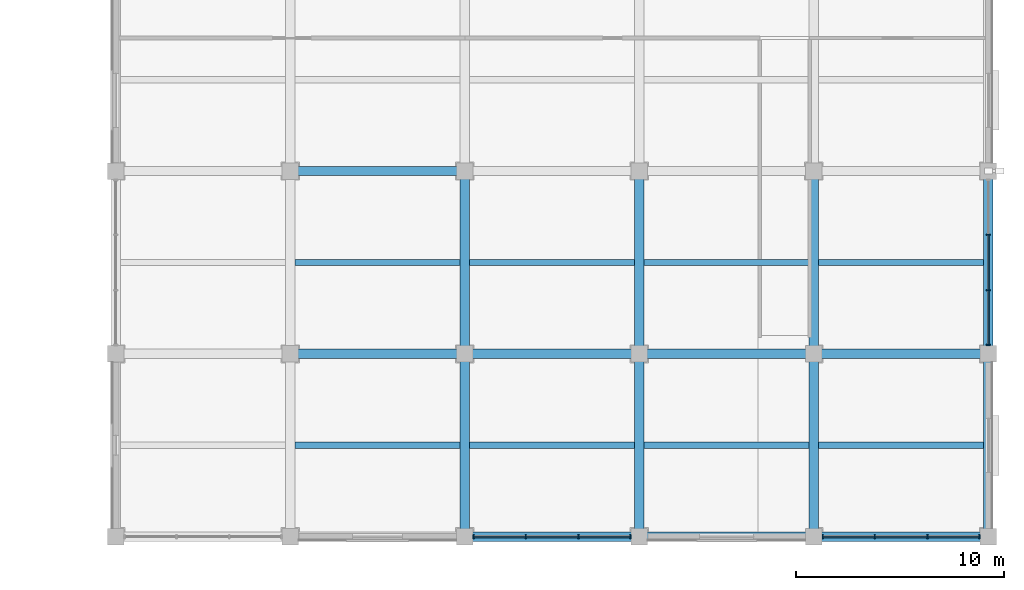
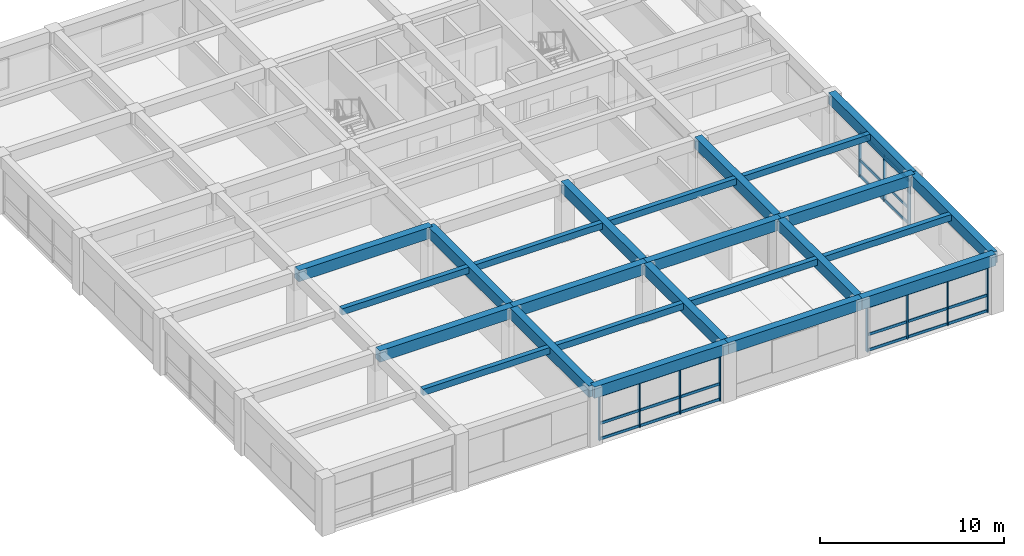
# One storey, part 4 of 16: 35 members, 24 beams, 3 elements without a shape of their own.
"""IFC4 building model written with IfcOpenShell, lengths in metres."""

from ifc_helpers import new_model, si_unit, direction, frame, origin, origin_2d, place, context, subcontext, project, spatial, rectangle, extrude, material, material_profile, profile_set, type_object, element, aggregate, save


model = new_model("IFC4")

# Units and contexts
model_context = context("Model", 3, precision=1e-05, world=origin(), true_north=direction((0.0, 1.0)))
body_context = subcontext(model_context, "Body", "Model", "MODEL_VIEW")
ifc_project = project(units=[si_unit("LENGTHUNIT", "METRE"), si_unit("AREAUNIT", "SQUARE_METRE"), si_unit("VOLUMEUNIT", "CUBIC_METRE"), si_unit("PLANEANGLEUNIT", "RADIAN"), si_unit("MASSUNIT", "GRAM", prefix="KILO")], contexts=[model_context])

# Site, building, storey
site_placement = place(None, origin())
site = spatial("IfcSite", under=ifc_project, at=site_placement, CompositionType="ELEMENT")
building_placement = place(site_placement, origin())
building = spatial("IfcBuilding", under=site, at=building_placement, Name="Kemercrest Conservatory and Botanical Centre", CompositionType="ELEMENT")
storey_placement = place(building_placement, frame((0.0, 0.0, 17.199951171875)))
storey = spatial("IfcBuildingStorey", under=building, at=storey_placement, Name="L04", CompositionType="ELEMENT", Elevation=17.199951171875)

# Beams
ifc_material_1 = material(Name="Concrete C40/50", Category="concrete")
ifc_material_profile_1 = material_profile(ifc_material_1, rectangle(XDim=0.449951171875, YDim=0.75, at=origin_2d()), Name="RC 450x750")
ifc_profile_set_1 = profile_set([ifc_material_profile_1], Name="Concrete C40/50")
beam_type_1 = type_object("IfcBeamType", Name="BM-RC75", PredefinedType="BEAM", material=ifc_profile_set_1)
beam_1_placement = place(storey_placement, frame((142.39990234375, 87.199951171875, 3.425048828125), z_axis=(1.0, 0.0, 0.0), x_axis=(0.0, 1.0, 0.0)))
element("IfcBeam", 1, at=beam_1_placement, inside=storey, type_object=beam_type_1, Name="V4-L05 beam BM-RC75 K/17-18", PredefinedType="BEAM", context=body_context, shape_type="SweptSolid", body=[
    extrude(rectangle(XDim=0.449951171875, YDim=0.75, at=origin_2d()), origin(), (0.0, 0.0, 1.0), 8.400146484375),
])
beam_2_placement = place(storey_placement, frame((150.800048828125, 87.199951171875, 3.425048828125), z_axis=(1.0, 0.0, 0.0), x_axis=(0.0, 1.0, 0.0)))
element("IfcBeam", 2, at=beam_2_placement, inside=storey, type_object=beam_type_1, Name="V4-L05 beam BM-RC75 K/18-19", PredefinedType="BEAM", context=body_context, shape_type="SweptSolid", body=[
    extrude(rectangle(XDim=0.449951171875, YDim=0.75, at=origin_2d()), origin(), (0.0, 0.0, 1.0), 8.39990234375),
])
beam_3_placement = place(storey_placement, frame((159.199951171875, 87.199951171875, 3.425048828125), z_axis=(1.0, 0.0, 0.0), x_axis=(0.0, 1.0, 0.0)))
element("IfcBeam", 3, at=beam_3_placement, inside=storey, type_object=beam_type_1, Name="V4-L05 beam BM-RC75 K/19-20", PredefinedType="BEAM", context=body_context, shape_type="SweptSolid", body=[
    extrude(rectangle(XDim=0.449951171875, YDim=0.75, at=origin_2d()), origin(), (0.0, 0.0, 1.0), 8.400146484375),
])
beam_4_placement = place(storey_placement, frame((167.60009765625, 87.199951171875, 3.425048828125), z_axis=(1.0, 0.0, 0.0), x_axis=(0.0, 1.0, 0.0)))
element("IfcBeam", 4, at=beam_4_placement, inside=storey, type_object=beam_type_1, Name="V4-L05 beam BM-RC75 K/20-21", PredefinedType="BEAM", context=body_context, shape_type="SweptSolid", body=[
    extrude(rectangle(XDim=0.449951171875, YDim=0.75, at=origin_2d()), origin(), (0.0, 0.0, 1.0), 8.39990234375),
])
beam_5_placement = place(storey_placement, frame((142.39990234375, 96.0, 3.425048828125), z_axis=(1.0, 0.0, 0.0), x_axis=(0.0, 1.0, 0.0)))
element("IfcBeam", 5, at=beam_5_placement, inside=storey, type_object=beam_type_1, Name="V4-L05 beam BM-RC75 L/17-18", PredefinedType="BEAM", context=body_context, shape_type="SweptSolid", body=[
    extrude(rectangle(XDim=0.449951171875, YDim=0.75, at=origin_2d()), origin(), (0.0, 0.0, 1.0), 8.400146484375),
])
for number, where, z_axis, x_axis, name in (
    (6, (150.800048828125, 78.39990234375, 3.425048828125), (0.0, 1.0, 0.0), (-1.0, 0.0, 0.0), "V4-L05 beam BM-RC75 18/J-K"),
    (7, (150.800048828125, 87.199951171875, 3.425048828125), (0.0, 1.0, 0.0), (-1.0, 0.0, 0.0), "V4-L05 beam BM-RC75 18/K-L"),
    (8, (159.199951171875, 78.39990234375, 3.425048828125), (0.0, 1.0, 0.0), (-1.0, 0.0, 0.0), "V4-L05 beam BM-RC75 19/J-K"),
    (9, (159.199951171875, 87.199951171875, 3.425048828125), (0.0, 1.0, 0.0), (-1.0, 0.0, 0.0), "V4-L05 beam BM-RC75 19/K-L"),
    (10, (167.60009765625, 78.39990234375, 3.425048828125), (0.0, 1.0, 0.0), (-1.0, 0.0, 0.0), "V4-L05 beam BM-RC75 20/J-K"),
    (11, (167.60009765625, 87.199951171875, 3.425048828125), (0.0, 1.0, 0.0), (-1.0, 0.0, 0.0), "V4-L05 beam BM-RC75 20/K-L"),
):
    element("IfcBeam", number, at=place(storey_placement, frame(where, z_axis=z_axis, x_axis=x_axis)), inside=storey, type_object=beam_type_1, Name=name, PredefinedType="BEAM", context=body_context, shape_type="SweptSolid", body=[
        extrude(rectangle(XDim=0.449951171875, YDim=0.75, at=origin_2d()), origin(), (0.0, 0.0, 1.0), 8.800048828125),
    ])

# Curtain wall, members
ifc_material_2 = material(Name="Thermally broken aluminium and triple low-e glazing", Category="aluminium")
curtain_wall_type_1 = type_object("IfcCurtainWallType", Name="CW-10", PredefinedType="USERDEFINED", material=ifc_material_2)
curtain_wall_1_placement = place(storey_placement, origin())
curtain_wall_1 = element("IfcCurtainWall", 12, at=curtain_wall_1_placement, inside=storey, type_object=curtain_wall_type_1, Name="Unitised curtain wall CW-10 (CW:L04:V4-069)", ObjectType="UNITISED CURTAIN WALL", PredefinedType="USERDEFINED")
ifc_material_3 = material(Name="Thermally broken anodized aluminium 6063-T6", Category="aluminium")
ifc_material_profile_2 = material_profile(ifc_material_3, rectangle(XDim=0.199951171875, YDim=0.06494140625, at=origin_2d()), Name="AL MULLION 65x200")
ifc_profile_set_2 = profile_set([ifc_material_profile_2], Name="Thermally broken anodized aluminium 6063-T6")
member_type_1 = type_object("IfcMemberType", Name="CW-M200", PredefinedType="MULLION", material=ifc_profile_set_2)
member_1_placement = place(storey_placement, frame((151.2275390625, 78.39990234375, 0.0), z_axis=(0.0, 0.0, 1.0), x_axis=(0.0, 1.0, 0.0)))
member_1 = element("IfcMember", 13, at=member_1_placement, type_object=member_type_1, Name="CW-10 mullion 1", PredefinedType="MULLION", context=body_context, shape_type="SweptSolid", body=[
    extrude(rectangle(XDim=0.199951171875, YDim=0.06494140625, at=origin_2d()), origin(), (0.0, 0.0, 1.0), 3.054931640625),
])
member_2_placement = place(storey_placement, frame((153.731689453125, 78.39990234375, 0.0), z_axis=(0.0, 0.0, 1.0), x_axis=(0.0, 1.0, 0.0)))
member_2 = element("IfcMember", 14, at=member_2_placement, type_object=member_type_1, Name="CW-10 mullion 2", PredefinedType="MULLION", context=body_context, shape_type="SweptSolid", body=[
    extrude(rectangle(XDim=0.199951171875, YDim=0.06494140625, at=origin_2d()), origin(), (0.0, 0.0, 1.0), 3.054931640625),
])
member_3_placement = place(storey_placement, frame((156.268310546875, 78.39990234375, 0.0), z_axis=(0.0, 0.0, 1.0), x_axis=(0.0, 1.0, 0.0)))
member_3 = element("IfcMember", 15, at=member_3_placement, type_object=member_type_1, Name="CW-10 mullion 3", PredefinedType="MULLION", context=body_context, shape_type="SweptSolid", body=[
    extrude(rectangle(XDim=0.199951171875, YDim=0.06494140625, at=origin_2d()), origin(), (0.0, 0.0, 1.0), 3.054931640625),
])
member_4_placement = place(storey_placement, frame((158.7724609375, 78.39990234375, 0.0), z_axis=(0.0, 0.0, 1.0), x_axis=(0.0, 1.0, 0.0)))
member_4 = element("IfcMember", 16, at=member_4_placement, type_object=member_type_1, Name="CW-10 mullion 4", PredefinedType="MULLION", context=body_context, shape_type="SweptSolid", body=[
    extrude(rectangle(XDim=0.199951171875, YDim=0.06494140625, at=origin_2d()), origin(), (0.0, 0.0, 1.0), 3.054931640625),
])

curtain_wall_type_2 = type_object("IfcCurtainWallType", Name="CW-11", PredefinedType="USERDEFINED", material=ifc_material_2)
curtain_wall_2_placement = place(storey_placement, origin())
curtain_wall_2 = element("IfcCurtainWall", 17, at=curtain_wall_2_placement, inside=storey, type_object=curtain_wall_type_2, Name="Unitised curtain wall CW-11 (CW:L04:V4-070)", ObjectType="UNITISED CURTAIN WALL", PredefinedType="USERDEFINED")
member_5_placement = place(storey_placement, frame((168.027587890625, 78.39990234375, 0.0), z_axis=(0.0, 0.0, 1.0), x_axis=(0.0, 1.0, 0.0)))
member_5 = element("IfcMember", 18, at=member_5_placement, type_object=member_type_1, Name="CW-11 mullion 1", PredefinedType="MULLION", context=body_context, shape_type="SweptSolid", body=[
    extrude(rectangle(XDim=0.199951171875, YDim=0.06494140625, at=origin_2d()), origin(), (0.0, 0.0, 1.0), 3.054931640625),
])
member_6_placement = place(storey_placement, frame((170.53173828125, 78.39990234375, 0.0), z_axis=(0.0, 0.0, 1.0), x_axis=(0.0, 1.0, 0.0)))
member_6 = element("IfcMember", 19, at=member_6_placement, type_object=member_type_1, Name="CW-11 mullion 2", PredefinedType="MULLION", context=body_context, shape_type="SweptSolid", body=[
    extrude(rectangle(XDim=0.199951171875, YDim=0.06494140625, at=origin_2d()), origin(), (0.0, 0.0, 1.0), 3.054931640625),
])
member_7_placement = place(storey_placement, frame((173.068359375, 78.39990234375, 0.0), z_axis=(0.0, 0.0, 1.0), x_axis=(0.0, 1.0, 0.0)))
member_7 = element("IfcMember", 20, at=member_7_placement, type_object=member_type_1, Name="CW-11 mullion 3", PredefinedType="MULLION", context=body_context, shape_type="SweptSolid", body=[
    extrude(rectangle(XDim=0.199951171875, YDim=0.06494140625, at=origin_2d()), origin(), (0.0, 0.0, 1.0), 3.054931640625),
])
member_8_placement = place(storey_placement, frame((175.572509765625, 78.39990234375, 0.0), z_axis=(0.0, 0.0, 1.0), x_axis=(0.0, 1.0, 0.0)))
member_8 = element("IfcMember", 21, at=member_8_placement, type_object=member_type_1, Name="CW-11 mullion 4", PredefinedType="MULLION", context=body_context, shape_type="SweptSolid", body=[
    extrude(rectangle(XDim=0.199951171875, YDim=0.06494140625, at=origin_2d()), origin(), (0.0, 0.0, 1.0), 3.054931640625),
])

curtain_wall_type_3 = type_object("IfcCurtainWallType", Name="CW-12", PredefinedType="USERDEFINED", material=ifc_material_2)
curtain_wall_3_placement = place(storey_placement, origin())
curtain_wall_3 = element("IfcCurtainWall", 22, at=curtain_wall_3_placement, inside=storey, type_object=curtain_wall_type_3, Name="Unitised curtain wall CW-12 (CW:L04:V4-071)", ObjectType="UNITISED CURTAIN WALL", PredefinedType="USERDEFINED")
member_9_placement = place(storey_placement, frame((176.0, 87.62744140625, 0.0), z_axis=(0.0, 0.0, 1.0), x_axis=(-1.0, 0.0, 0.0)))
member_9 = element("IfcMember", 23, at=member_9_placement, type_object=member_type_1, Name="CW-12 mullion 1", PredefinedType="MULLION", context=body_context, shape_type="SweptSolid", body=[
    extrude(rectangle(XDim=0.199951171875, YDim=0.06494140625, at=origin_2d()), origin(), (0.0, 0.0, 1.0), 3.054931640625),
])
member_10_placement = place(storey_placement, frame((176.0, 90.264892578125, 0.0), z_axis=(0.0, 0.0, 1.0), x_axis=(-1.0, 0.0, 0.0)))
member_10 = element("IfcMember", 24, at=member_10_placement, type_object=member_type_1, Name="CW-12 mullion 2", PredefinedType="MULLION", context=body_context, shape_type="SweptSolid", body=[
    extrude(rectangle(XDim=0.199951171875, YDim=0.06494140625, at=origin_2d()), origin(), (0.0, 0.0, 1.0), 3.054931640625),
])
member_11_placement = place(storey_placement, frame((176.0, 92.93505859375, 0.0), z_axis=(0.0, 0.0, 1.0), x_axis=(-1.0, 0.0, 0.0)))
member_11 = element("IfcMember", 25, at=member_11_placement, type_object=member_type_1, Name="CW-12 mullion 3", PredefinedType="MULLION", context=body_context, shape_type="SweptSolid", body=[
    extrude(rectangle(XDim=0.199951171875, YDim=0.06494140625, at=origin_2d()), origin(), (0.0, 0.0, 1.0), 3.054931640625),
])

# Member
ifc_material_profile_3 = material_profile(ifc_material_3, rectangle(XDim=0.074951171875, YDim=0.179931640625, at=origin_2d()), Name="AL TRANSOM 75x180")
ifc_profile_set_3 = profile_set([ifc_material_profile_3], Name="Thermally broken anodized aluminium 6063-T6")
member_type_2 = type_object("IfcMemberType", Name="CW-T180", PredefinedType="USERDEFINED", material=ifc_profile_set_3)
member_12_placement = place(storey_placement, frame((151.260009765625, 78.39990234375, 0.090087890625), z_axis=(1.0, 0.0, 0.0), x_axis=(0.0, 1.0, 0.0)))
member_12 = element("IfcMember", 26, at=member_12_placement, type_object=member_type_2, Name="CW-10 transom 1.1", ObjectType="TRANSOM", PredefinedType="USERDEFINED", context=body_context, shape_type="SweptSolid", body=[
    extrude(rectangle(XDim=0.074951171875, YDim=0.179931640625, at=origin_2d()), origin(), (0.0, 0.0, 1.0), 2.439208984375),
])

member_13_placement = place(storey_placement, frame((151.260009765625, 78.39990234375, 1.1201171875), z_axis=(1.0, 0.0, 0.0), x_axis=(0.0, 1.0, 0.0)))
member_13 = element("IfcMember", 27, at=member_13_placement, type_object=member_type_2, Name="CW-10 transom 1.2", ObjectType="TRANSOM", PredefinedType="USERDEFINED", context=body_context, shape_type="SweptSolid", body=[
    extrude(rectangle(XDim=0.074951171875, YDim=0.179931640625, at=origin_2d()), origin(), (0.0, 0.0, 1.0), 2.439208984375),
])

member_14_placement = place(storey_placement, frame((151.260009765625, 78.39990234375, 2.965087890625), z_axis=(1.0, 0.0, 0.0), x_axis=(0.0, 1.0, 0.0)))
member_14 = element("IfcMember", 28, at=member_14_placement, type_object=member_type_2, Name="CW-10 transom 1.3", ObjectType="TRANSOM", PredefinedType="USERDEFINED", context=body_context, shape_type="SweptSolid", body=[
    extrude(rectangle(XDim=0.074951171875, YDim=0.179931640625, at=origin_2d()), origin(), (0.0, 0.0, 1.0), 2.439208984375),
])

member_15_placement = place(storey_placement, frame((153.76416015625, 78.39990234375, 0.090087890625), z_axis=(1.0, 0.0, 0.0), x_axis=(0.0, 1.0, 0.0)))
member_15 = element("IfcMember", 29, at=member_15_placement, type_object=member_type_2, Name="CW-10 transom 2.1", ObjectType="TRANSOM", PredefinedType="USERDEFINED", context=body_context, shape_type="SweptSolid", body=[
    extrude(rectangle(XDim=0.074951171875, YDim=0.179931640625, at=origin_2d()), origin(), (0.0, 0.0, 1.0), 2.4716796875),
])

member_16_placement = place(storey_placement, frame((153.76416015625, 78.39990234375, 1.1201171875), z_axis=(1.0, 0.0, 0.0), x_axis=(0.0, 1.0, 0.0)))
member_16 = element("IfcMember", 30, at=member_16_placement, type_object=member_type_2, Name="CW-10 transom 2.2", ObjectType="TRANSOM", PredefinedType="USERDEFINED", context=body_context, shape_type="SweptSolid", body=[
    extrude(rectangle(XDim=0.074951171875, YDim=0.179931640625, at=origin_2d()), origin(), (0.0, 0.0, 1.0), 2.4716796875),
])

member_17_placement = place(storey_placement, frame((153.76416015625, 78.39990234375, 2.965087890625), z_axis=(1.0, 0.0, 0.0), x_axis=(0.0, 1.0, 0.0)))
member_17 = element("IfcMember", 31, at=member_17_placement, type_object=member_type_2, Name="CW-10 transom 2.3", ObjectType="TRANSOM", PredefinedType="USERDEFINED", context=body_context, shape_type="SweptSolid", body=[
    extrude(rectangle(XDim=0.074951171875, YDim=0.179931640625, at=origin_2d()), origin(), (0.0, 0.0, 1.0), 2.4716796875),
])

member_18_placement = place(storey_placement, frame((156.30078125, 78.39990234375, 0.090087890625), z_axis=(1.0, 0.0, 0.0), x_axis=(0.0, 1.0, 0.0)))
member_18 = element("IfcMember", 32, at=member_18_placement, type_object=member_type_2, Name="CW-10 transom 3.1", ObjectType="TRANSOM", PredefinedType="USERDEFINED", context=body_context, shape_type="SweptSolid", body=[
    extrude(rectangle(XDim=0.074951171875, YDim=0.179931640625, at=origin_2d()), origin(), (0.0, 0.0, 1.0), 2.439208984375),
])

member_19_placement = place(storey_placement, frame((156.30078125, 78.39990234375, 1.1201171875), z_axis=(1.0, 0.0, 0.0), x_axis=(0.0, 1.0, 0.0)))
member_19 = element("IfcMember", 33, at=member_19_placement, type_object=member_type_2, Name="CW-10 transom 3.2", ObjectType="TRANSOM", PredefinedType="USERDEFINED", context=body_context, shape_type="SweptSolid", body=[
    extrude(rectangle(XDim=0.074951171875, YDim=0.179931640625, at=origin_2d()), origin(), (0.0, 0.0, 1.0), 2.439208984375),
])

member_20_placement = place(storey_placement, frame((156.30078125, 78.39990234375, 2.965087890625), z_axis=(1.0, 0.0, 0.0), x_axis=(0.0, 1.0, 0.0)))
member_20 = element("IfcMember", 34, at=member_20_placement, type_object=member_type_2, Name="CW-10 transom 3.3", ObjectType="TRANSOM", PredefinedType="USERDEFINED", context=body_context, shape_type="SweptSolid", body=[
    extrude(rectangle(XDim=0.074951171875, YDim=0.179931640625, at=origin_2d()), origin(), (0.0, 0.0, 1.0), 2.439208984375),
])

aggregate(curtain_wall_1, [member_1, member_2, member_3, member_4, member_12, member_13, member_14, member_15, member_16, member_17, member_18, member_19, member_20])

member_21_placement = place(storey_placement, frame((168.06005859375, 78.39990234375, 0.090087890625), z_axis=(1.0, 0.0, 0.0), x_axis=(0.0, 1.0, 0.0)))
member_21 = element("IfcMember", 35, at=member_21_placement, type_object=member_type_2, Name="CW-11 transom 1.1", ObjectType="TRANSOM", PredefinedType="USERDEFINED", context=body_context, shape_type="SweptSolid", body=[
    extrude(rectangle(XDim=0.074951171875, YDim=0.179931640625, at=origin_2d()), origin(), (0.0, 0.0, 1.0), 2.439208984375),
])

member_22_placement = place(storey_placement, frame((168.06005859375, 78.39990234375, 1.1201171875), z_axis=(1.0, 0.0, 0.0), x_axis=(0.0, 1.0, 0.0)))
member_22 = element("IfcMember", 36, at=member_22_placement, type_object=member_type_2, Name="CW-11 transom 1.2", ObjectType="TRANSOM", PredefinedType="USERDEFINED", context=body_context, shape_type="SweptSolid", body=[
    extrude(rectangle(XDim=0.074951171875, YDim=0.179931640625, at=origin_2d()), origin(), (0.0, 0.0, 1.0), 2.439208984375),
])

member_23_placement = place(storey_placement, frame((168.06005859375, 78.39990234375, 2.965087890625), z_axis=(1.0, 0.0, 0.0), x_axis=(0.0, 1.0, 0.0)))
member_23 = element("IfcMember", 37, at=member_23_placement, type_object=member_type_2, Name="CW-11 transom 1.3", ObjectType="TRANSOM", PredefinedType="USERDEFINED", context=body_context, shape_type="SweptSolid", body=[
    extrude(rectangle(XDim=0.074951171875, YDim=0.179931640625, at=origin_2d()), origin(), (0.0, 0.0, 1.0), 2.439208984375),
])

member_24_placement = place(storey_placement, frame((170.564208984375, 78.39990234375, 0.090087890625), z_axis=(1.0, 0.0, 0.0), x_axis=(0.0, 1.0, 0.0)))
member_24 = element("IfcMember", 38, at=member_24_placement, type_object=member_type_2, Name="CW-11 transom 2.1", ObjectType="TRANSOM", PredefinedType="USERDEFINED", context=body_context, shape_type="SweptSolid", body=[
    extrude(rectangle(XDim=0.074951171875, YDim=0.179931640625, at=origin_2d()), origin(), (0.0, 0.0, 1.0), 2.4716796875),
])

member_25_placement = place(storey_placement, frame((170.564208984375, 78.39990234375, 1.1201171875), z_axis=(1.0, 0.0, 0.0), x_axis=(0.0, 1.0, 0.0)))
member_25 = element("IfcMember", 39, at=member_25_placement, type_object=member_type_2, Name="CW-11 transom 2.2", ObjectType="TRANSOM", PredefinedType="USERDEFINED", context=body_context, shape_type="SweptSolid", body=[
    extrude(rectangle(XDim=0.074951171875, YDim=0.179931640625, at=origin_2d()), origin(), (0.0, 0.0, 1.0), 2.4716796875),
])

member_26_placement = place(storey_placement, frame((170.564208984375, 78.39990234375, 2.965087890625), z_axis=(1.0, 0.0, 0.0), x_axis=(0.0, 1.0, 0.0)))
member_26 = element("IfcMember", 40, at=member_26_placement, type_object=member_type_2, Name="CW-11 transom 2.3", ObjectType="TRANSOM", PredefinedType="USERDEFINED", context=body_context, shape_type="SweptSolid", body=[
    extrude(rectangle(XDim=0.074951171875, YDim=0.179931640625, at=origin_2d()), origin(), (0.0, 0.0, 1.0), 2.4716796875),
])

member_27_placement = place(storey_placement, frame((173.100830078125, 78.39990234375, 0.090087890625), z_axis=(1.0, 0.0, 0.0), x_axis=(0.0, 1.0, 0.0)))
member_27 = element("IfcMember", 41, at=member_27_placement, type_object=member_type_2, Name="CW-11 transom 3.1", ObjectType="TRANSOM", PredefinedType="USERDEFINED", context=body_context, shape_type="SweptSolid", body=[
    extrude(rectangle(XDim=0.074951171875, YDim=0.179931640625, at=origin_2d()), origin(), (0.0, 0.0, 1.0), 2.439208984375),
])

member_28_placement = place(storey_placement, frame((173.100830078125, 78.39990234375, 1.1201171875), z_axis=(1.0, 0.0, 0.0), x_axis=(0.0, 1.0, 0.0)))
member_28 = element("IfcMember", 42, at=member_28_placement, type_object=member_type_2, Name="CW-11 transom 3.2", ObjectType="TRANSOM", PredefinedType="USERDEFINED", context=body_context, shape_type="SweptSolid", body=[
    extrude(rectangle(XDim=0.074951171875, YDim=0.179931640625, at=origin_2d()), origin(), (0.0, 0.0, 1.0), 2.439208984375),
])

member_29_placement = place(storey_placement, frame((173.100830078125, 78.39990234375, 2.965087890625), z_axis=(1.0, 0.0, 0.0), x_axis=(0.0, 1.0, 0.0)))
member_29 = element("IfcMember", 43, at=member_29_placement, type_object=member_type_2, Name="CW-11 transom 3.3", ObjectType="TRANSOM", PredefinedType="USERDEFINED", context=body_context, shape_type="SweptSolid", body=[
    extrude(rectangle(XDim=0.074951171875, YDim=0.179931640625, at=origin_2d()), origin(), (0.0, 0.0, 1.0), 2.439208984375),
])

aggregate(curtain_wall_2, [member_5, member_6, member_7, member_8, member_21, member_22, member_23, member_24, member_25, member_26, member_27, member_28, member_29])

member_30_placement = place(storey_placement, frame((176.0, 87.659912109375, 0.090087890625), z_axis=(0.0, 1.0, 0.0), x_axis=(-1.0, 0.0, 0.0)))
member_30 = element("IfcMember", 44, at=member_30_placement, type_object=member_type_2, Name="CW-12 transom 1.1", ObjectType="TRANSOM", PredefinedType="USERDEFINED", context=body_context, shape_type="SweptSolid", body=[
    extrude(rectangle(XDim=0.074951171875, YDim=0.179931640625, at=origin_2d()), origin(), (0.0, 0.0, 1.0), 2.572509765625),
])

member_31_placement = place(storey_placement, frame((176.0, 87.659912109375, 1.1201171875), z_axis=(0.0, 1.0, 0.0), x_axis=(-1.0, 0.0, 0.0)))
member_31 = element("IfcMember", 45, at=member_31_placement, type_object=member_type_2, Name="CW-12 transom 1.2", ObjectType="TRANSOM", PredefinedType="USERDEFINED", context=body_context, shape_type="SweptSolid", body=[
    extrude(rectangle(XDim=0.074951171875, YDim=0.179931640625, at=origin_2d()), origin(), (0.0, 0.0, 1.0), 2.572509765625),
])

member_32_placement = place(storey_placement, frame((176.0, 87.659912109375, 2.965087890625), z_axis=(0.0, 1.0, 0.0), x_axis=(-1.0, 0.0, 0.0)))
member_32 = element("IfcMember", 46, at=member_32_placement, type_object=member_type_2, Name="CW-12 transom 1.3", ObjectType="TRANSOM", PredefinedType="USERDEFINED", context=body_context, shape_type="SweptSolid", body=[
    extrude(rectangle(XDim=0.074951171875, YDim=0.179931640625, at=origin_2d()), origin(), (0.0, 0.0, 1.0), 2.572509765625),
])

member_33_placement = place(storey_placement, frame((176.0, 90.297607421875, 0.090087890625), z_axis=(0.0, 1.0, 0.0), x_axis=(-1.0, 0.0, 0.0)))
member_33 = element("IfcMember", 47, at=member_33_placement, type_object=member_type_2, Name="CW-12 transom 2.1", ObjectType="TRANSOM", PredefinedType="USERDEFINED", context=body_context, shape_type="SweptSolid", body=[
    extrude(rectangle(XDim=0.074951171875, YDim=0.179931640625, at=origin_2d()), origin(), (0.0, 0.0, 1.0), 2.60498046875),
])

member_34_placement = place(storey_placement, frame((176.0, 90.297607421875, 1.1201171875), z_axis=(0.0, 1.0, 0.0), x_axis=(-1.0, 0.0, 0.0)))
member_34 = element("IfcMember", 48, at=member_34_placement, type_object=member_type_2, Name="CW-12 transom 2.2", ObjectType="TRANSOM", PredefinedType="USERDEFINED", context=body_context, shape_type="SweptSolid", body=[
    extrude(rectangle(XDim=0.074951171875, YDim=0.179931640625, at=origin_2d()), origin(), (0.0, 0.0, 1.0), 2.60498046875),
])

member_35_placement = place(storey_placement, frame((176.0, 90.297607421875, 2.965087890625), z_axis=(0.0, 1.0, 0.0), x_axis=(-1.0, 0.0, 0.0)))
member_35 = element("IfcMember", 49, at=member_35_placement, type_object=member_type_2, Name="CW-12 transom 2.3", ObjectType="TRANSOM", PredefinedType="USERDEFINED", context=body_context, shape_type="SweptSolid", body=[
    extrude(rectangle(XDim=0.074951171875, YDim=0.179931640625, at=origin_2d()), origin(), (0.0, 0.0, 1.0), 2.60498046875),
])

aggregate(curtain_wall_3, [member_9, member_10, member_11, member_30, member_31, member_32, member_33, member_34, member_35])

# Beams
ifc_material_profile_4 = material_profile(ifc_material_1, rectangle(XDim=0.300048828125, YDim=0.419921875, at=origin_2d()), Name="RC 300x420")
ifc_profile_set_4 = profile_set([ifc_material_profile_4], Name="Concrete C40/50")
beam_type_2 = type_object("IfcBeamType", Name="JS-RC42", PredefinedType="JOIST", material=ifc_profile_set_4)
beam_6_placement = place(storey_placement, frame((142.625, 82.800048828125, 3.590087890625), z_axis=(1.0, 0.0, 0.0), x_axis=(0.0, 1.0, 0.0)))
element("IfcBeam", 50, at=beam_6_placement, inside=storey, type_object=beam_type_2, Name="V4-L05 secondary joist JS-RC42", PredefinedType="JOIST", context=body_context, shape_type="SweptSolid", body=[
    extrude(rectangle(XDim=0.300048828125, YDim=0.419921875, at=origin_2d()), origin(), (0.0, 0.0, 1.0), 7.949951171875),
])
beam_7_placement = place(storey_placement, frame((151.02490234375, 82.800048828125, 3.590087890625), z_axis=(1.0, 0.0, 0.0), x_axis=(0.0, 1.0, 0.0)))
element("IfcBeam", 51, at=beam_7_placement, inside=storey, type_object=beam_type_2, Name="V4-L05 secondary joist JS-RC42", PredefinedType="JOIST", context=body_context, shape_type="SweptSolid", body=[
    extrude(rectangle(XDim=0.300048828125, YDim=0.419921875, at=origin_2d()), origin(), (0.0, 0.0, 1.0), 7.9501953125),
])
for number, where, z_axis, x_axis, name in (
    (52, (159.425048828125, 82.800048828125, 3.590087890625), (1.0, 0.0, 0.0), (0.0, 1.0, 0.0), "V4-L05 secondary joist JS-RC42"),
    (53, (167.824951171875, 82.800048828125, 3.590087890625), (1.0, 0.0, 0.0), (0.0, 1.0, 0.0), "V4-L05 secondary joist JS-RC42"),
    (54, (142.625, 91.60009765625, 3.590087890625), (1.0, 0.0, 0.0), (0.0, 1.0, 0.0), "V4-L05 secondary joist JS-RC42"),
):
    element("IfcBeam", number, at=place(storey_placement, frame(where, z_axis=z_axis, x_axis=x_axis)), inside=storey, type_object=beam_type_2, Name=name, PredefinedType="JOIST", context=body_context, shape_type="SweptSolid", body=[
        extrude(rectangle(XDim=0.300048828125, YDim=0.419921875, at=origin_2d()), origin(), (0.0, 0.0, 1.0), 7.949951171875),
    ])
beam_8_placement = place(storey_placement, frame((151.02490234375, 91.60009765625, 3.590087890625), z_axis=(1.0, 0.0, 0.0), x_axis=(0.0, 1.0, 0.0)))
element("IfcBeam", 55, at=beam_8_placement, inside=storey, type_object=beam_type_2, Name="V4-L05 secondary joist JS-RC42", PredefinedType="JOIST", context=body_context, shape_type="SweptSolid", body=[
    extrude(rectangle(XDim=0.300048828125, YDim=0.419921875, at=origin_2d()), origin(), (0.0, 0.0, 1.0), 7.9501953125),
])
for number, where, z_axis, x_axis, name in (
    (56, (159.425048828125, 91.60009765625, 3.590087890625), (1.0, 0.0, 0.0), (0.0, 1.0, 0.0), "V4-L05 secondary joist JS-RC42"),
    (57, (167.824951171875, 91.60009765625, 3.590087890625), (1.0, 0.0, 0.0), (0.0, 1.0, 0.0), "V4-L05 secondary joist JS-RC42"),
):
    element("IfcBeam", number, at=place(storey_placement, frame(where, z_axis=z_axis, x_axis=x_axis)), inside=storey, type_object=beam_type_2, Name=name, PredefinedType="JOIST", context=body_context, shape_type="SweptSolid", body=[
        extrude(rectangle(XDim=0.300048828125, YDim=0.419921875, at=origin_2d()), origin(), (0.0, 0.0, 1.0), 7.949951171875),
    ])
ifc_material_profile_5 = material_profile(ifc_material_1, rectangle(XDim=0.449951171875, YDim=0.75, at=origin_2d()), Name="RC 450x750")
ifc_profile_set_5 = profile_set([ifc_material_profile_5], Name="Concrete C40/50")
beam_type_3 = type_object("IfcBeamType", Name="SP-RC75", PredefinedType="SPANDREL", material=ifc_profile_set_5)
beam_9_placement = place(storey_placement, frame((150.800048828125, 78.39990234375, 3.425048828125), z_axis=(1.0, 0.0, 0.0), x_axis=(0.0, 1.0, 0.0)))
element("IfcBeam", 58, at=beam_9_placement, inside=storey, type_object=beam_type_3, Name="V4-L05 beam SP-RC75 J/18-19", PredefinedType="SPANDREL", context=body_context, shape_type="SweptSolid", body=[
    extrude(rectangle(XDim=0.449951171875, YDim=0.75, at=origin_2d()), origin(), (0.0, 0.0, 1.0), 8.39990234375),
])
beam_10_placement = place(storey_placement, frame((159.199951171875, 78.39990234375, 3.425048828125), z_axis=(1.0, 0.0, 0.0), x_axis=(0.0, 1.0, 0.0)))
element("IfcBeam", 59, at=beam_10_placement, inside=storey, type_object=beam_type_3, Name="V4-L05 beam SP-RC75 J/19-20", PredefinedType="SPANDREL", context=body_context, shape_type="SweptSolid", body=[
    extrude(rectangle(XDim=0.449951171875, YDim=0.75, at=origin_2d()), origin(), (0.0, 0.0, 1.0), 8.400146484375),
])
beam_11_placement = place(storey_placement, frame((167.60009765625, 78.39990234375, 3.425048828125), z_axis=(1.0, 0.0, 0.0), x_axis=(0.0, 1.0, 0.0)))
element("IfcBeam", 60, at=beam_11_placement, inside=storey, type_object=beam_type_3, Name="V4-L05 beam SP-RC75 J/20-21", PredefinedType="SPANDREL", context=body_context, shape_type="SweptSolid", body=[
    extrude(rectangle(XDim=0.449951171875, YDim=0.75, at=origin_2d()), origin(), (0.0, 0.0, 1.0), 8.39990234375),
])
for number, where, z_axis, x_axis, name in (
    (61, (176.0, 78.39990234375, 3.425048828125), (0.0, 1.0, 0.0), (-1.0, 0.0, 0.0), "V4-L05 beam SP-RC75 21/J-K"),
    (62, (176.0, 87.199951171875, 3.425048828125), (0.0, 1.0, 0.0), (-1.0, 0.0, 0.0), "V4-L05 beam SP-RC75 21/K-L"),
):
    element("IfcBeam", number, at=place(storey_placement, frame(where, z_axis=z_axis, x_axis=x_axis)), inside=storey, type_object=beam_type_3, Name=name, PredefinedType="SPANDREL", context=body_context, shape_type="SweptSolid", body=[
        extrude(rectangle(XDim=0.449951171875, YDim=0.75, at=origin_2d()), origin(), (0.0, 0.0, 1.0), 8.800048828125),
    ])

save(model, "model.ifc")
